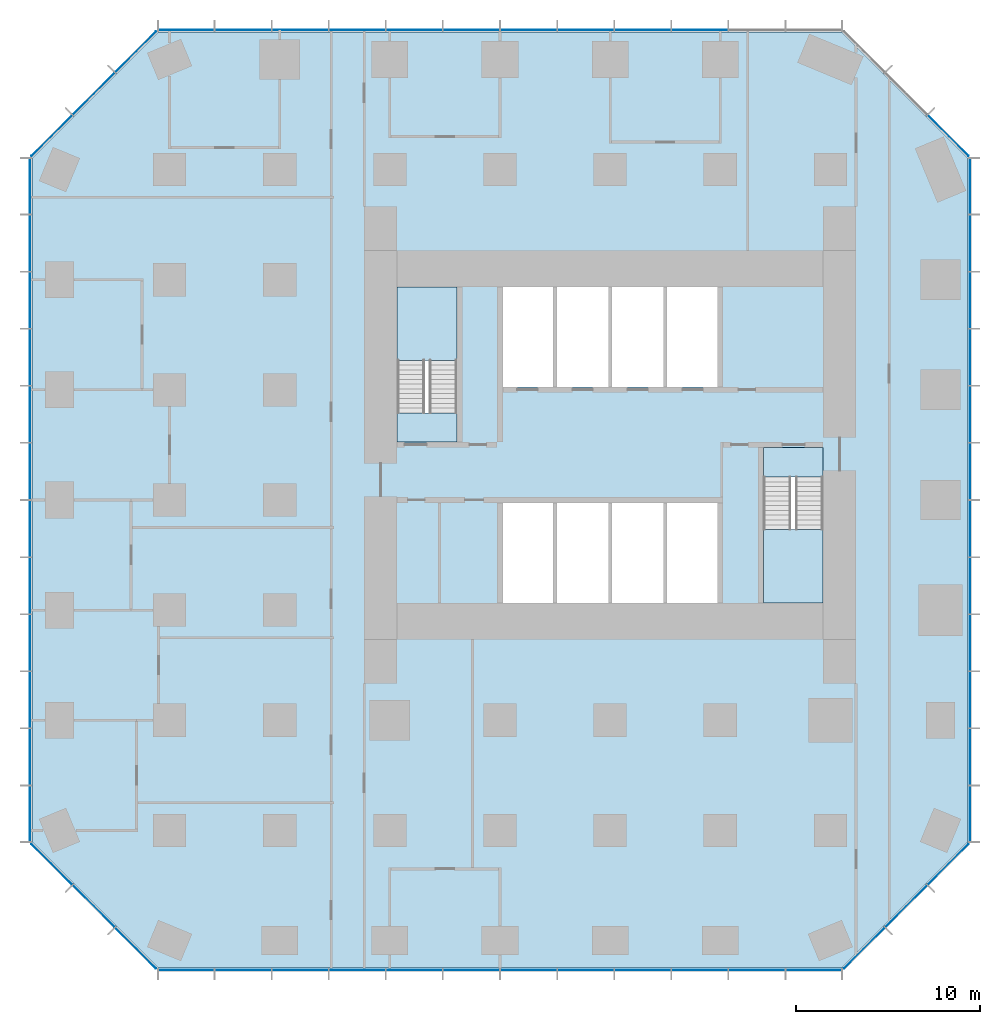
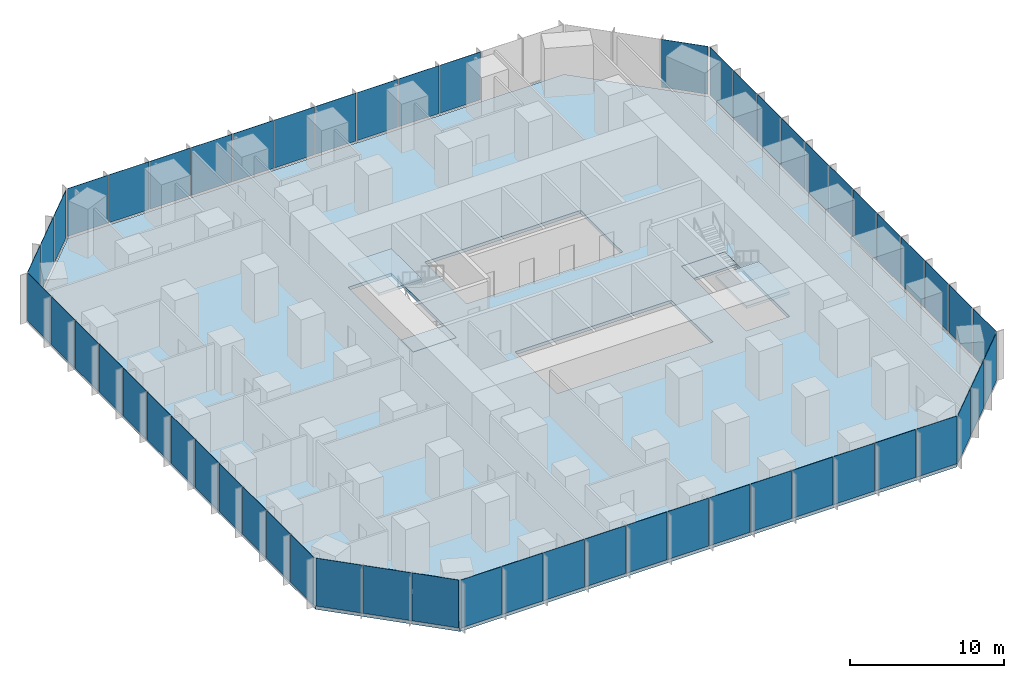
# One storey, part 7 of 11: 56 plates, 5 slabs, 10 elements without a shape of their own.
"""IFC4 building model written with IfcOpenShell, lengths in metres."""

from ifc_helpers import new_model, si_unit, direction, frame, origin, origin_2d, place, context, subcontext, project, spatial, polyline, rectangle, outline, extrude, material, layer, layer_set, type_object, element, aggregate, save


model = new_model("IFC4")

# Units and contexts
model_context = context("Model", 3, precision=1e-05, world=origin(), true_north=direction((0.0, 1.0)))
body_context = subcontext(model_context, "Body", "Model", "MODEL_VIEW")
ifc_project = project(units=[si_unit("LENGTHUNIT", "METRE"), si_unit("AREAUNIT", "SQUARE_METRE"), si_unit("VOLUMEUNIT", "CUBIC_METRE"), si_unit("PLANEANGLEUNIT", "RADIAN"), si_unit("MASSUNIT", "GRAM", prefix="KILO")], contexts=[model_context])

# Site, building, storey
site_placement = place(None, origin())
site = spatial("IfcSite", under=ifc_project, at=site_placement, CompositionType="ELEMENT")
building_placement = place(site_placement, origin())
building = spatial("IfcBuilding", under=site, at=building_placement, Name="Highveld Stack Headquarters", CompositionType="ELEMENT")
storey_placement = place(building_placement, frame((0.0, 0.0, 29.89990234375)))
storey = spatial("IfcBuildingStorey", under=building, at=storey_placement, Name="L06", CompositionType="ELEMENT", Elevation=29.89990234375)

# Curtain wall, plates
ifc_material_1 = material(Name="Aluminium bronze anodised", Category="aluminium")
ifc_layer_1 = layer(ifc_material_1, 0.199951171875)
ifc_layer_set_1 = layer_set([ifc_layer_1], Name="Aluminium bronze anodised")
curtain_wall_type_1 = type_object("IfcCurtainWallType", Name="CW1 TOWER UNITISED CURTAIN WALL", PredefinedType="NOTDEFINED", material=ifc_layer_set_1)
curtain_wall_1_placement = place(storey_placement, origin())
curtain_wall_1 = element("IfcCurtainWall", 1, at=curtain_wall_1_placement, inside=storey, type_object=curtain_wall_type_1, Name="Curtain wall CW1 L06 S", PredefinedType="NOTDEFINED")
ifc_material_2 = material(Name="Glass bronze tinted double glazed unit", Category="glass")
ifc_layer_2 = layer(ifc_material_2, 0.028076171875)
ifc_layer_set_2 = layer_set([ifc_layer_2], Name="Glass bronze tinted double glazed unit")
plate_type_1 = type_object("IfcPlateType", Name="CW1 PANEL BRONZE TINTED DOUBLE GLAZED UNIT", PredefinedType="CURTAIN_PANEL", material=ifc_layer_set_2)
plate_1_placement = place(storey_placement, frame((-17.09130859375, -25.60009765625, 0.10009765625), z_axis=(0.0, 0.0, 1.0), x_axis=(1.0, 0.0, 0.0)))
plate_1 = element("IfcPlate", 2, at=plate_1_placement, type_object=plate_type_1, Name="CW1 panel L06 1.1", PredefinedType="CURTAIN_PANEL", context=body_context, shape_type="SweptSolid", body=[
    extrude(rectangle(XDim=3.012939453125, YDim=0.028076171875, at=origin_2d()), origin(), (0.0, 0.0, 1.0), 3.800048828125),
])
plate_2_placement = place(storey_placement, frame((-13.9970703125, -25.60009765625, 0.10009765625), z_axis=(0.0, 0.0, 1.0), x_axis=(1.0, 0.0, 0.0)))
plate_2 = element("IfcPlate", 3, at=plate_2_placement, type_object=plate_type_1, Name="CW1 panel L06 2.1", PredefinedType="CURTAIN_PANEL", context=body_context, shape_type="SweptSolid", body=[
    extrude(rectangle(XDim=3.04541015625, YDim=0.028076171875, at=origin_2d()), origin(), (0.0, 0.0, 1.0), 3.800048828125),
])
plate_3_placement = place(storey_placement, frame((-10.88671875, -25.60009765625, 0.10009765625), z_axis=(0.0, 0.0, 1.0), x_axis=(1.0, 0.0, 0.0)))
plate_3 = element("IfcPlate", 4, at=plate_3_placement, type_object=plate_type_1, Name="CW1 panel L06 3.1", PredefinedType="CURTAIN_PANEL", context=body_context, shape_type="SweptSolid", body=[
    extrude(rectangle(XDim=3.04541015625, YDim=0.028076171875, at=origin_2d()), origin(), (0.0, 0.0, 1.0), 3.800048828125),
])
plate_4_placement = place(storey_placement, frame((-7.776123046875, -25.60009765625, 0.10009765625), z_axis=(0.0, 0.0, 1.0), x_axis=(1.0, 0.0, 0.0)))
plate_4 = element("IfcPlate", 5, at=plate_4_placement, type_object=plate_type_1, Name="CW1 panel L06 4.1", PredefinedType="CURTAIN_PANEL", context=body_context, shape_type="SweptSolid", body=[
    extrude(rectangle(XDim=3.04541015625, YDim=0.028076171875, at=origin_2d()), origin(), (0.0, 0.0, 1.0), 3.800048828125),
])
plate_5_placement = place(storey_placement, frame((-4.665771484375, -25.60009765625, 0.10009765625), z_axis=(0.0, 0.0, 1.0), x_axis=(1.0, 0.0, 0.0)))
plate_5 = element("IfcPlate", 6, at=plate_5_placement, type_object=plate_type_1, Name="CW1 panel L06 5.1", PredefinedType="CURTAIN_PANEL", context=body_context, shape_type="SweptSolid", body=[
    extrude(rectangle(XDim=3.04541015625, YDim=0.028076171875, at=origin_2d()), origin(), (0.0, 0.0, 1.0), 3.800048828125),
])
plate_6_placement = place(storey_placement, frame((-1.55517578125, -25.60009765625, 0.10009765625), z_axis=(0.0, 0.0, 1.0), x_axis=(1.0, 0.0, 0.0)))
plate_6 = element("IfcPlate", 7, at=plate_6_placement, type_object=plate_type_1, Name="CW1 panel L06 6.1", PredefinedType="CURTAIN_PANEL", context=body_context, shape_type="SweptSolid", body=[
    extrude(rectangle(XDim=3.04541015625, YDim=0.028076171875, at=origin_2d()), origin(), (0.0, 0.0, 1.0), 3.800048828125),
])
plate_7_placement = place(storey_placement, frame((1.55517578125, -25.60009765625, 0.10009765625), z_axis=(0.0, 0.0, 1.0), x_axis=(1.0, 0.0, 0.0)))
plate_7 = element("IfcPlate", 8, at=plate_7_placement, type_object=plate_type_1, Name="CW1 panel L06 7.1", PredefinedType="CURTAIN_PANEL", context=body_context, shape_type="SweptSolid", body=[
    extrude(rectangle(XDim=3.04541015625, YDim=0.028076171875, at=origin_2d()), origin(), (0.0, 0.0, 1.0), 3.800048828125),
])
plate_8_placement = place(storey_placement, frame((4.665771484375, -25.60009765625, 0.10009765625), z_axis=(0.0, 0.0, 1.0), x_axis=(1.0, 0.0, 0.0)))
plate_8 = element("IfcPlate", 9, at=plate_8_placement, type_object=plate_type_1, Name="CW1 panel L06 8.1", PredefinedType="CURTAIN_PANEL", context=body_context, shape_type="SweptSolid", body=[
    extrude(rectangle(XDim=3.04541015625, YDim=0.028076171875, at=origin_2d()), origin(), (0.0, 0.0, 1.0), 3.800048828125),
])
plate_9_placement = place(storey_placement, frame((7.776123046875, -25.60009765625, 0.10009765625), z_axis=(0.0, 0.0, 1.0), x_axis=(1.0, 0.0, 0.0)))
plate_9 = element("IfcPlate", 10, at=plate_9_placement, type_object=plate_type_1, Name="CW1 panel L06 9.1", PredefinedType="CURTAIN_PANEL", context=body_context, shape_type="SweptSolid", body=[
    extrude(rectangle(XDim=3.04541015625, YDim=0.028076171875, at=origin_2d()), origin(), (0.0, 0.0, 1.0), 3.800048828125),
])
plate_10_placement = place(storey_placement, frame((10.88671875, -25.60009765625, 0.10009765625), z_axis=(0.0, 0.0, 1.0), x_axis=(1.0, 0.0, 0.0)))
plate_10 = element("IfcPlate", 11, at=plate_10_placement, type_object=plate_type_1, Name="CW1 panel L06 10.1", PredefinedType="CURTAIN_PANEL", context=body_context, shape_type="SweptSolid", body=[
    extrude(rectangle(XDim=3.04541015625, YDim=0.028076171875, at=origin_2d()), origin(), (0.0, 0.0, 1.0), 3.800048828125),
])
plate_11_placement = place(storey_placement, frame((13.9970703125, -25.60009765625, 0.10009765625), z_axis=(0.0, 0.0, 1.0), x_axis=(1.0, 0.0, 0.0)))
plate_11 = element("IfcPlate", 12, at=plate_11_placement, type_object=plate_type_1, Name="CW1 panel L06 11.1", PredefinedType="CURTAIN_PANEL", context=body_context, shape_type="SweptSolid", body=[
    extrude(rectangle(XDim=3.04541015625, YDim=0.028076171875, at=origin_2d()), origin(), (0.0, 0.0, 1.0), 3.800048828125),
])
plate_12_placement = place(storey_placement, frame((17.09130859375, -25.60009765625, 0.10009765625), z_axis=(0.0, 0.0, 1.0), x_axis=(1.0, 0.0, 0.0)))
plate_12 = element("IfcPlate", 13, at=plate_12_placement, type_object=plate_type_1, Name="CW1 panel L06 12.1", PredefinedType="CURTAIN_PANEL", context=body_context, shape_type="SweptSolid", body=[
    extrude(rectangle(XDim=3.012939453125, YDim=0.028076171875, at=origin_2d()), origin(), (0.0, 0.0, 1.0), 3.800048828125),
])
aggregate(curtain_wall_1, [plate_1, plate_2, plate_3, plate_4, plate_5, plate_6, plate_7, plate_8, plate_9, plate_10, plate_11, plate_12])

curtain_wall_2_placement = place(storey_placement, origin())
curtain_wall_2 = element("IfcCurtainWall", 14, at=curtain_wall_2_placement, inside=storey, type_object=curtain_wall_type_1, Name="Curtain wall CW1 L06 E", PredefinedType="NOTDEFINED")
plate_13_placement = place(storey_placement, frame((25.60009765625, -17.09130859375, 0.10009765625), z_axis=(0.0, 0.0, 1.0), x_axis=(0.0, 1.0, 0.0)))
plate_13 = element("IfcPlate", 15, at=plate_13_placement, type_object=plate_type_1, Name="CW1 panel L06 1.1", PredefinedType="CURTAIN_PANEL", context=body_context, shape_type="SweptSolid", body=[
    extrude(rectangle(XDim=3.012939453125, YDim=0.028076171875, at=origin_2d()), origin(), (0.0, 0.0, 1.0), 3.800048828125),
])
plate_14_placement = place(storey_placement, frame((25.60009765625, -13.9970703125, 0.10009765625), z_axis=(0.0, 0.0, 1.0), x_axis=(0.0, 1.0, 0.0)))
plate_14 = element("IfcPlate", 16, at=plate_14_placement, type_object=plate_type_1, Name="CW1 panel L06 2.1", PredefinedType="CURTAIN_PANEL", context=body_context, shape_type="SweptSolid", body=[
    extrude(rectangle(XDim=3.04541015625, YDim=0.028076171875, at=origin_2d()), origin(), (0.0, 0.0, 1.0), 3.800048828125),
])
plate_15_placement = place(storey_placement, frame((25.60009765625, -10.88671875, 0.10009765625), z_axis=(0.0, 0.0, 1.0), x_axis=(0.0, 1.0, 0.0)))
plate_15 = element("IfcPlate", 17, at=plate_15_placement, type_object=plate_type_1, Name="CW1 panel L06 3.1", PredefinedType="CURTAIN_PANEL", context=body_context, shape_type="SweptSolid", body=[
    extrude(rectangle(XDim=3.04541015625, YDim=0.028076171875, at=origin_2d()), origin(), (0.0, 0.0, 1.0), 3.800048828125),
])
plate_16_placement = place(storey_placement, frame((25.60009765625, -7.776123046875, 0.10009765625), z_axis=(0.0, 0.0, 1.0), x_axis=(0.0, 1.0, 0.0)))
plate_16 = element("IfcPlate", 18, at=plate_16_placement, type_object=plate_type_1, Name="CW1 panel L06 4.1", PredefinedType="CURTAIN_PANEL", context=body_context, shape_type="SweptSolid", body=[
    extrude(rectangle(XDim=3.04541015625, YDim=0.028076171875, at=origin_2d()), origin(), (0.0, 0.0, 1.0), 3.800048828125),
])
plate_17_placement = place(storey_placement, frame((25.60009765625, -4.665771484375, 0.10009765625), z_axis=(0.0, 0.0, 1.0), x_axis=(0.0, 1.0, 0.0)))
plate_17 = element("IfcPlate", 19, at=plate_17_placement, type_object=plate_type_1, Name="CW1 panel L06 5.1", PredefinedType="CURTAIN_PANEL", context=body_context, shape_type="SweptSolid", body=[
    extrude(rectangle(XDim=3.04541015625, YDim=0.028076171875, at=origin_2d()), origin(), (0.0, 0.0, 1.0), 3.800048828125),
])
plate_18_placement = place(storey_placement, frame((25.60009765625, -1.55517578125, 0.10009765625), z_axis=(0.0, 0.0, 1.0), x_axis=(0.0, 1.0, 0.0)))
plate_18 = element("IfcPlate", 20, at=plate_18_placement, type_object=plate_type_1, Name="CW1 panel L06 6.1", PredefinedType="CURTAIN_PANEL", context=body_context, shape_type="SweptSolid", body=[
    extrude(rectangle(XDim=3.04541015625, YDim=0.028076171875, at=origin_2d()), origin(), (0.0, 0.0, 1.0), 3.800048828125),
])
plate_19_placement = place(storey_placement, frame((25.60009765625, 1.55517578125, 0.10009765625), z_axis=(0.0, 0.0, 1.0), x_axis=(0.0, 1.0, 0.0)))
plate_19 = element("IfcPlate", 21, at=plate_19_placement, type_object=plate_type_1, Name="CW1 panel L06 7.1", PredefinedType="CURTAIN_PANEL", context=body_context, shape_type="SweptSolid", body=[
    extrude(rectangle(XDim=3.04541015625, YDim=0.028076171875, at=origin_2d()), origin(), (0.0, 0.0, 1.0), 3.800048828125),
])
plate_20_placement = place(storey_placement, frame((25.60009765625, 4.665771484375, 0.10009765625), z_axis=(0.0, 0.0, 1.0), x_axis=(0.0, 1.0, 0.0)))
plate_20 = element("IfcPlate", 22, at=plate_20_placement, type_object=plate_type_1, Name="CW1 panel L06 8.1", PredefinedType="CURTAIN_PANEL", context=body_context, shape_type="SweptSolid", body=[
    extrude(rectangle(XDim=3.04541015625, YDim=0.028076171875, at=origin_2d()), origin(), (0.0, 0.0, 1.0), 3.800048828125),
])
plate_21_placement = place(storey_placement, frame((25.60009765625, 7.776123046875, 0.10009765625), z_axis=(0.0, 0.0, 1.0), x_axis=(0.0, 1.0, 0.0)))
plate_21 = element("IfcPlate", 23, at=plate_21_placement, type_object=plate_type_1, Name="CW1 panel L06 9.1", PredefinedType="CURTAIN_PANEL", context=body_context, shape_type="SweptSolid", body=[
    extrude(rectangle(XDim=3.04541015625, YDim=0.028076171875, at=origin_2d()), origin(), (0.0, 0.0, 1.0), 3.800048828125),
])
plate_22_placement = place(storey_placement, frame((25.60009765625, 10.88671875, 0.10009765625), z_axis=(0.0, 0.0, 1.0), x_axis=(0.0, 1.0, 0.0)))
plate_22 = element("IfcPlate", 24, at=plate_22_placement, type_object=plate_type_1, Name="CW1 panel L06 10.1", PredefinedType="CURTAIN_PANEL", context=body_context, shape_type="SweptSolid", body=[
    extrude(rectangle(XDim=3.04541015625, YDim=0.028076171875, at=origin_2d()), origin(), (0.0, 0.0, 1.0), 3.800048828125),
])
plate_23_placement = place(storey_placement, frame((25.60009765625, 13.9970703125, 0.10009765625), z_axis=(0.0, 0.0, 1.0), x_axis=(0.0, 1.0, 0.0)))
plate_23 = element("IfcPlate", 25, at=plate_23_placement, type_object=plate_type_1, Name="CW1 panel L06 11.1", PredefinedType="CURTAIN_PANEL", context=body_context, shape_type="SweptSolid", body=[
    extrude(rectangle(XDim=3.04541015625, YDim=0.028076171875, at=origin_2d()), origin(), (0.0, 0.0, 1.0), 3.800048828125),
])
plate_24_placement = place(storey_placement, frame((25.60009765625, 17.09130859375, 0.10009765625), z_axis=(0.0, 0.0, 1.0), x_axis=(0.0, 1.0, 0.0)))
plate_24 = element("IfcPlate", 26, at=plate_24_placement, type_object=plate_type_1, Name="CW1 panel L06 12.1", PredefinedType="CURTAIN_PANEL", context=body_context, shape_type="SweptSolid", body=[
    extrude(rectangle(XDim=3.012939453125, YDim=0.028076171875, at=origin_2d()), origin(), (0.0, 0.0, 1.0), 3.800048828125),
])
aggregate(curtain_wall_2, [plate_13, plate_14, plate_15, plate_16, plate_17, plate_18, plate_19, plate_20, plate_21, plate_22, plate_23, plate_24])

curtain_wall_3_placement = place(storey_placement, origin())
curtain_wall_3 = element("IfcCurtainWall", 27, at=curtain_wall_3_placement, inside=storey, type_object=curtain_wall_type_1, Name="Curtain wall CW1 L06 N", PredefinedType="NOTDEFINED")
plate_25_placement = place(storey_placement, frame((10.88671875, 25.60009765625, 0.10009765625), z_axis=(0.0, 0.0, 1.0), x_axis=(-1.0, 0.0, 0.0)))
plate_25 = element("IfcPlate", 28, at=plate_25_placement, type_object=plate_type_1, Name="CW1 panel L06 3.1", PredefinedType="CURTAIN_PANEL", context=body_context, shape_type="SweptSolid", body=[
    extrude(rectangle(XDim=3.04541015625, YDim=0.028076171875, at=origin_2d()), origin(), (0.0, 0.0, 1.0), 3.800048828125),
])
plate_26_placement = place(storey_placement, frame((7.776123046875, 25.60009765625, 0.10009765625), z_axis=(0.0, 0.0, 1.0), x_axis=(-1.0, 0.0, 0.0)))
plate_26 = element("IfcPlate", 29, at=plate_26_placement, type_object=plate_type_1, Name="CW1 panel L06 4.1", PredefinedType="CURTAIN_PANEL", context=body_context, shape_type="SweptSolid", body=[
    extrude(rectangle(XDim=3.04541015625, YDim=0.028076171875, at=origin_2d()), origin(), (0.0, 0.0, 1.0), 3.800048828125),
])
plate_27_placement = place(storey_placement, frame((4.665771484375, 25.60009765625, 0.10009765625), z_axis=(0.0, 0.0, 1.0), x_axis=(-1.0, 0.0, 0.0)))
plate_27 = element("IfcPlate", 30, at=plate_27_placement, type_object=plate_type_1, Name="CW1 panel L06 5.1", PredefinedType="CURTAIN_PANEL", context=body_context, shape_type="SweptSolid", body=[
    extrude(rectangle(XDim=3.04541015625, YDim=0.028076171875, at=origin_2d()), origin(), (0.0, 0.0, 1.0), 3.800048828125),
])
plate_28_placement = place(storey_placement, frame((1.55517578125, 25.60009765625, 0.10009765625), z_axis=(0.0, 0.0, 1.0), x_axis=(-1.0, 0.0, 0.0)))
plate_28 = element("IfcPlate", 31, at=plate_28_placement, type_object=plate_type_1, Name="CW1 panel L06 6.1", PredefinedType="CURTAIN_PANEL", context=body_context, shape_type="SweptSolid", body=[
    extrude(rectangle(XDim=3.04541015625, YDim=0.028076171875, at=origin_2d()), origin(), (0.0, 0.0, 1.0), 3.800048828125),
])
plate_29_placement = place(storey_placement, frame((-1.55517578125, 25.60009765625, 0.10009765625), z_axis=(0.0, 0.0, 1.0), x_axis=(-1.0, 0.0, 0.0)))
plate_29 = element("IfcPlate", 32, at=plate_29_placement, type_object=plate_type_1, Name="CW1 panel L06 7.1", PredefinedType="CURTAIN_PANEL", context=body_context, shape_type="SweptSolid", body=[
    extrude(rectangle(XDim=3.04541015625, YDim=0.028076171875, at=origin_2d()), origin(), (0.0, 0.0, 1.0), 3.800048828125),
])
plate_30_placement = place(storey_placement, frame((-4.665771484375, 25.60009765625, 0.10009765625), z_axis=(0.0, 0.0, 1.0), x_axis=(-1.0, 0.0, 0.0)))
plate_30 = element("IfcPlate", 33, at=plate_30_placement, type_object=plate_type_1, Name="CW1 panel L06 8.1", PredefinedType="CURTAIN_PANEL", context=body_context, shape_type="SweptSolid", body=[
    extrude(rectangle(XDim=3.04541015625, YDim=0.028076171875, at=origin_2d()), origin(), (0.0, 0.0, 1.0), 3.800048828125),
])
plate_31_placement = place(storey_placement, frame((-7.776123046875, 25.60009765625, 0.10009765625), z_axis=(0.0, 0.0, 1.0), x_axis=(-1.0, 0.0, 0.0)))
plate_31 = element("IfcPlate", 34, at=plate_31_placement, type_object=plate_type_1, Name="CW1 panel L06 9.1", PredefinedType="CURTAIN_PANEL", context=body_context, shape_type="SweptSolid", body=[
    extrude(rectangle(XDim=3.04541015625, YDim=0.028076171875, at=origin_2d()), origin(), (0.0, 0.0, 1.0), 3.800048828125),
])
plate_32_placement = place(storey_placement, frame((-10.88671875, 25.60009765625, 0.10009765625), z_axis=(0.0, 0.0, 1.0), x_axis=(-1.0, 0.0, 0.0)))
plate_32 = element("IfcPlate", 35, at=plate_32_placement, type_object=plate_type_1, Name="CW1 panel L06 10.1", PredefinedType="CURTAIN_PANEL", context=body_context, shape_type="SweptSolid", body=[
    extrude(rectangle(XDim=3.04541015625, YDim=0.028076171875, at=origin_2d()), origin(), (0.0, 0.0, 1.0), 3.800048828125),
])
plate_33_placement = place(storey_placement, frame((-13.9970703125, 25.60009765625, 0.10009765625), z_axis=(0.0, 0.0, 1.0), x_axis=(-1.0, 0.0, 0.0)))
plate_33 = element("IfcPlate", 36, at=plate_33_placement, type_object=plate_type_1, Name="CW1 panel L06 11.1", PredefinedType="CURTAIN_PANEL", context=body_context, shape_type="SweptSolid", body=[
    extrude(rectangle(XDim=3.04541015625, YDim=0.028076171875, at=origin_2d()), origin(), (0.0, 0.0, 1.0), 3.800048828125),
])
plate_34_placement = place(storey_placement, frame((-17.09130859375, 25.60009765625, 0.10009765625), z_axis=(0.0, 0.0, 1.0), x_axis=(-1.0, 0.0, 0.0)))
plate_34 = element("IfcPlate", 37, at=plate_34_placement, type_object=plate_type_1, Name="CW1 panel L06 12.1", PredefinedType="CURTAIN_PANEL", context=body_context, shape_type="SweptSolid", body=[
    extrude(rectangle(XDim=3.012939453125, YDim=0.028076171875, at=origin_2d()), origin(), (0.0, 0.0, 1.0), 3.800048828125),
])
aggregate(curtain_wall_3, [plate_25, plate_26, plate_27, plate_28, plate_29, plate_30, plate_31, plate_32, plate_33, plate_34])

curtain_wall_4_placement = place(storey_placement, origin())
curtain_wall_4 = element("IfcCurtainWall", 38, at=curtain_wall_4_placement, inside=storey, type_object=curtain_wall_type_1, Name="Curtain wall CW1 L06 W", PredefinedType="NOTDEFINED")
plate_35_placement = place(storey_placement, frame((-25.60009765625, 17.09130859375, 0.10009765625), z_axis=(0.0, 0.0, 1.0), x_axis=(0.0, -1.0, 0.0)))
plate_35 = element("IfcPlate", 39, at=plate_35_placement, type_object=plate_type_1, Name="CW1 panel L06 1.1", PredefinedType="CURTAIN_PANEL", context=body_context, shape_type="SweptSolid", body=[
    extrude(rectangle(XDim=3.012939453125, YDim=0.028076171875, at=origin_2d()), origin(), (0.0, 0.0, 1.0), 3.800048828125),
])
plate_36_placement = place(storey_placement, frame((-25.60009765625, 13.9970703125, 0.10009765625), z_axis=(0.0, 0.0, 1.0), x_axis=(0.0, -1.0, 0.0)))
plate_36 = element("IfcPlate", 40, at=plate_36_placement, type_object=plate_type_1, Name="CW1 panel L06 2.1", PredefinedType="CURTAIN_PANEL", context=body_context, shape_type="SweptSolid", body=[
    extrude(rectangle(XDim=3.04541015625, YDim=0.028076171875, at=origin_2d()), origin(), (0.0, 0.0, 1.0), 3.800048828125),
])
plate_37_placement = place(storey_placement, frame((-25.60009765625, 10.88671875, 0.10009765625), z_axis=(0.0, 0.0, 1.0), x_axis=(0.0, -1.0, 0.0)))
plate_37 = element("IfcPlate", 41, at=plate_37_placement, type_object=plate_type_1, Name="CW1 panel L06 3.1", PredefinedType="CURTAIN_PANEL", context=body_context, shape_type="SweptSolid", body=[
    extrude(rectangle(XDim=3.04541015625, YDim=0.028076171875, at=origin_2d()), origin(), (0.0, 0.0, 1.0), 3.800048828125),
])
plate_38_placement = place(storey_placement, frame((-25.60009765625, 7.776123046875, 0.10009765625), z_axis=(0.0, 0.0, 1.0), x_axis=(0.0, -1.0, 0.0)))
plate_38 = element("IfcPlate", 42, at=plate_38_placement, type_object=plate_type_1, Name="CW1 panel L06 4.1", PredefinedType="CURTAIN_PANEL", context=body_context, shape_type="SweptSolid", body=[
    extrude(rectangle(XDim=3.04541015625, YDim=0.028076171875, at=origin_2d()), origin(), (0.0, 0.0, 1.0), 3.800048828125),
])
plate_39_placement = place(storey_placement, frame((-25.60009765625, 4.665771484375, 0.10009765625), z_axis=(0.0, 0.0, 1.0), x_axis=(0.0, -1.0, 0.0)))
plate_39 = element("IfcPlate", 43, at=plate_39_placement, type_object=plate_type_1, Name="CW1 panel L06 5.1", PredefinedType="CURTAIN_PANEL", context=body_context, shape_type="SweptSolid", body=[
    extrude(rectangle(XDim=3.04541015625, YDim=0.028076171875, at=origin_2d()), origin(), (0.0, 0.0, 1.0), 3.800048828125),
])
plate_40_placement = place(storey_placement, frame((-25.60009765625, 1.55517578125, 0.10009765625), z_axis=(0.0, 0.0, 1.0), x_axis=(0.0, -1.0, 0.0)))
plate_40 = element("IfcPlate", 44, at=plate_40_placement, type_object=plate_type_1, Name="CW1 panel L06 6.1", PredefinedType="CURTAIN_PANEL", context=body_context, shape_type="SweptSolid", body=[
    extrude(rectangle(XDim=3.04541015625, YDim=0.028076171875, at=origin_2d()), origin(), (0.0, 0.0, 1.0), 3.800048828125),
])
plate_41_placement = place(storey_placement, frame((-25.60009765625, -1.55517578125, 0.10009765625), z_axis=(0.0, 0.0, 1.0), x_axis=(0.0, -1.0, 0.0)))
plate_41 = element("IfcPlate", 45, at=plate_41_placement, type_object=plate_type_1, Name="CW1 panel L06 7.1", PredefinedType="CURTAIN_PANEL", context=body_context, shape_type="SweptSolid", body=[
    extrude(rectangle(XDim=3.04541015625, YDim=0.028076171875, at=origin_2d()), origin(), (0.0, 0.0, 1.0), 3.800048828125),
])
plate_42_placement = place(storey_placement, frame((-25.60009765625, -4.665771484375, 0.10009765625), z_axis=(0.0, 0.0, 1.0), x_axis=(0.0, -1.0, 0.0)))
plate_42 = element("IfcPlate", 46, at=plate_42_placement, type_object=plate_type_1, Name="CW1 panel L06 8.1", PredefinedType="CURTAIN_PANEL", context=body_context, shape_type="SweptSolid", body=[
    extrude(rectangle(XDim=3.04541015625, YDim=0.028076171875, at=origin_2d()), origin(), (0.0, 0.0, 1.0), 3.800048828125),
])
plate_43_placement = place(storey_placement, frame((-25.60009765625, -7.776123046875, 0.10009765625), z_axis=(0.0, 0.0, 1.0), x_axis=(0.0, -1.0, 0.0)))
plate_43 = element("IfcPlate", 47, at=plate_43_placement, type_object=plate_type_1, Name="CW1 panel L06 9.1", PredefinedType="CURTAIN_PANEL", context=body_context, shape_type="SweptSolid", body=[
    extrude(rectangle(XDim=3.04541015625, YDim=0.028076171875, at=origin_2d()), origin(), (0.0, 0.0, 1.0), 3.800048828125),
])
plate_44_placement = place(storey_placement, frame((-25.60009765625, -10.88671875, 0.10009765625), z_axis=(0.0, 0.0, 1.0), x_axis=(0.0, -1.0, 0.0)))
plate_44 = element("IfcPlate", 48, at=plate_44_placement, type_object=plate_type_1, Name="CW1 panel L06 10.1", PredefinedType="CURTAIN_PANEL", context=body_context, shape_type="SweptSolid", body=[
    extrude(rectangle(XDim=3.04541015625, YDim=0.028076171875, at=origin_2d()), origin(), (0.0, 0.0, 1.0), 3.800048828125),
])
plate_45_placement = place(storey_placement, frame((-25.60009765625, -13.9970703125, 0.10009765625), z_axis=(0.0, 0.0, 1.0), x_axis=(0.0, -1.0, 0.0)))
plate_45 = element("IfcPlate", 49, at=plate_45_placement, type_object=plate_type_1, Name="CW1 panel L06 11.1", PredefinedType="CURTAIN_PANEL", context=body_context, shape_type="SweptSolid", body=[
    extrude(rectangle(XDim=3.04541015625, YDim=0.028076171875, at=origin_2d()), origin(), (0.0, 0.0, 1.0), 3.800048828125),
])
plate_46_placement = place(storey_placement, frame((-25.60009765625, -17.09130859375, 0.10009765625), z_axis=(0.0, 0.0, 1.0), x_axis=(0.0, -1.0, 0.0)))
plate_46 = element("IfcPlate", 50, at=plate_46_placement, type_object=plate_type_1, Name="CW1 panel L06 12.1", PredefinedType="CURTAIN_PANEL", context=body_context, shape_type="SweptSolid", body=[
    extrude(rectangle(XDim=3.012939453125, YDim=0.028076171875, at=origin_2d()), origin(), (0.0, 0.0, 1.0), 3.800048828125),
])
aggregate(curtain_wall_4, [plate_35, plate_36, plate_37, plate_38, plate_39, plate_40, plate_41, plate_42, plate_43, plate_44, plate_45, plate_46])

ifc_material_3 = material(Name="Aluminium bronze anodised", Category="aluminium")
ifc_layer_3 = layer(ifc_material_3, 0.199951171875)
ifc_layer_set_3 = layer_set([ifc_layer_3], Name="Aluminium bronze anodised")
curtain_wall_type_2 = type_object("IfcCurtainWallType", Name="CW2 TOWER CHAMFER UNITISED CURTAIN WALL", PredefinedType="NOTDEFINED", material=ifc_layer_set_3)
curtain_wall_5_placement = place(storey_placement, origin())
curtain_wall_5 = element("IfcCurtainWall", 51, at=curtain_wall_5_placement, inside=storey, type_object=curtain_wall_type_2, Name="Curtain wall CW2 L06 SE", PredefinedType="NOTDEFINED")
ifc_material_4 = material(Name="Glass bronze tinted double glazed unit", Category="glass")
ifc_layer_4 = layer(ifc_material_4, 0.028076171875)
ifc_layer_set_4 = layer_set([ifc_layer_4], Name="Glass bronze tinted double glazed unit")
plate_type_2 = type_object("IfcPlateType", Name="CW2 PANEL BRONZE TINTED DOUBLE GLAZED UNIT", PredefinedType="CURTAIN_PANEL", material=ifc_layer_set_4)
plate_47_placement = place(storey_placement, frame((19.8427734375, -24.419921875, 0.10009765625), z_axis=(0.0, 0.0, 1.0), x_axis=(0.707106781187, 0.707106781187, 0.0)))
plate_47 = element("IfcPlate", 52, at=plate_47_placement, type_object=plate_type_2, Name="CW2 panel L06 1.1", PredefinedType="CURTAIN_PANEL", context=body_context, shape_type="SweptSolid", body=[
    extrude(rectangle(XDim=3.1376953125, YDim=0.028076171875, at=origin_2d()), origin(), (0.0, 0.0, 1.0), 3.800048828125),
])
plate_48_placement = place(storey_placement, frame((22.13134765625, -22.13134765625, 0.10009765625), z_axis=(0.0, 0.0, 1.0), x_axis=(0.707106781187, 0.707106781187, 0.0)))
plate_48 = element("IfcPlate", 53, at=plate_48_placement, type_object=plate_type_2, Name="CW2 panel L06 2.1", PredefinedType="CURTAIN_PANEL", context=body_context, shape_type="SweptSolid", body=[
    extrude(rectangle(XDim=3.205322265625, YDim=0.028076171875, at=origin_2d()), origin(), (0.0, 0.0, 1.0), 3.800048828125),
])
plate_49_placement = place(storey_placement, frame((24.419921875, -19.8427734375, 0.10009765625), z_axis=(0.0, 0.0, 1.0), x_axis=(0.707106781187, 0.707106781187, 0.0)))
plate_49 = element("IfcPlate", 54, at=plate_49_placement, type_object=plate_type_2, Name="CW2 panel L06 3.1", PredefinedType="CURTAIN_PANEL", context=body_context, shape_type="SweptSolid", body=[
    extrude(rectangle(XDim=3.1376953125, YDim=0.028076171875, at=origin_2d()), origin(), (0.0, 0.0, 1.0), 3.800048828125),
])
aggregate(curtain_wall_5, [plate_47, plate_48, plate_49])

# Curtain wall, plate
curtain_wall_6_placement = place(storey_placement, origin())
curtain_wall_6 = element("IfcCurtainWall", 55, at=curtain_wall_6_placement, inside=storey, type_object=curtain_wall_type_2, Name="Curtain wall CW2 L06 NE", PredefinedType="NOTDEFINED")
plate_50_placement = place(storey_placement, frame((24.419921875, 19.8427734375, 0.10009765625), z_axis=(0.0, 0.0, 1.0), x_axis=(-0.707106781187, 0.707106781187, 0.0)))
plate_50 = element("IfcPlate", 56, at=plate_50_placement, type_object=plate_type_2, Name="CW2 panel L06 1.1", PredefinedType="CURTAIN_PANEL", context=body_context, shape_type="SweptSolid", body=[
    extrude(rectangle(XDim=3.1376953125, YDim=0.028076171875, at=origin_2d()), origin(), (0.0, 0.0, 1.0), 3.800048828125),
])
aggregate(curtain_wall_6, [plate_50])

# Curtain wall, plates
curtain_wall_7_placement = place(storey_placement, origin())
curtain_wall_7 = element("IfcCurtainWall", 57, at=curtain_wall_7_placement, inside=storey, type_object=curtain_wall_type_2, Name="Curtain wall CW2 L06 NW", PredefinedType="NOTDEFINED")
plate_51_placement = place(storey_placement, frame((-19.8427734375, 24.419921875, 0.10009765625), z_axis=(0.0, 0.0, 1.0), x_axis=(-0.707106781187, -0.707106781187, 0.0)))
plate_51 = element("IfcPlate", 58, at=plate_51_placement, type_object=plate_type_2, Name="CW2 panel L06 1.1", PredefinedType="CURTAIN_PANEL", context=body_context, shape_type="SweptSolid", body=[
    extrude(rectangle(XDim=3.1376953125, YDim=0.028076171875, at=origin_2d()), origin(), (0.0, 0.0, 1.0), 3.800048828125),
])
plate_52_placement = place(storey_placement, frame((-22.13134765625, 22.13134765625, 0.10009765625), z_axis=(0.0, 0.0, 1.0), x_axis=(-0.707106781187, -0.707106781187, 0.0)))
plate_52 = element("IfcPlate", 59, at=plate_52_placement, type_object=plate_type_2, Name="CW2 panel L06 2.1", PredefinedType="CURTAIN_PANEL", context=body_context, shape_type="SweptSolid", body=[
    extrude(rectangle(XDim=3.205322265625, YDim=0.028076171875, at=origin_2d()), origin(), (0.0, 0.0, 1.0), 3.800048828125),
])
plate_53_placement = place(storey_placement, frame((-24.419921875, 19.8427734375, 0.10009765625), z_axis=(0.0, 0.0, 1.0), x_axis=(-0.707106781187, -0.707106781187, 0.0)))
plate_53 = element("IfcPlate", 60, at=plate_53_placement, type_object=plate_type_2, Name="CW2 panel L06 3.1", PredefinedType="CURTAIN_PANEL", context=body_context, shape_type="SweptSolid", body=[
    extrude(rectangle(XDim=3.1376953125, YDim=0.028076171875, at=origin_2d()), origin(), (0.0, 0.0, 1.0), 3.800048828125),
])
aggregate(curtain_wall_7, [plate_51, plate_52, plate_53])

curtain_wall_8_placement = place(storey_placement, origin())
curtain_wall_8 = element("IfcCurtainWall", 61, at=curtain_wall_8_placement, inside=storey, type_object=curtain_wall_type_2, Name="Curtain wall CW2 L06 SW", PredefinedType="NOTDEFINED")
plate_54_placement = place(storey_placement, frame((-24.419921875, -19.8427734375, 0.10009765625), z_axis=(0.0, 0.0, 1.0), x_axis=(0.707106781187, -0.707106781187, 0.0)))
plate_54 = element("IfcPlate", 62, at=plate_54_placement, type_object=plate_type_2, Name="CW2 panel L06 1.1", PredefinedType="CURTAIN_PANEL", context=body_context, shape_type="SweptSolid", body=[
    extrude(rectangle(XDim=3.1376953125, YDim=0.028076171875, at=origin_2d()), origin(), (0.0, 0.0, 1.0), 3.800048828125),
])
plate_55_placement = place(storey_placement, frame((-22.13134765625, -22.13134765625, 0.10009765625), z_axis=(0.0, 0.0, 1.0), x_axis=(0.707106781187, -0.707106781187, 0.0)))
plate_55 = element("IfcPlate", 63, at=plate_55_placement, type_object=plate_type_2, Name="CW2 panel L06 2.1", PredefinedType="CURTAIN_PANEL", context=body_context, shape_type="SweptSolid", body=[
    extrude(rectangle(XDim=3.205322265625, YDim=0.028076171875, at=origin_2d()), origin(), (0.0, 0.0, 1.0), 3.800048828125),
])
plate_56_placement = place(storey_placement, frame((-19.8427734375, -24.419921875, 0.10009765625), z_axis=(0.0, 0.0, 1.0), x_axis=(0.707106781187, -0.707106781187, 0.0)))
plate_56 = element("IfcPlate", 64, at=plate_56_placement, type_object=plate_type_2, Name="CW2 panel L06 3.1", PredefinedType="CURTAIN_PANEL", context=body_context, shape_type="SweptSolid", body=[
    extrude(rectangle(XDim=3.1376953125, YDim=0.028076171875, at=origin_2d()), origin(), (0.0, 0.0, 1.0), 3.800048828125),
])
aggregate(curtain_wall_8, [plate_54, plate_55, plate_56])

# Slab
ifc_material_5 = material(Name="Concrete C60/75", Category="concrete")
ifc_layer_5 = layer(ifc_material_5, 0.25)
ifc_layer_set_5 = layer_set([ifc_layer_5], Name="Concrete C60/75")
slab_type_1 = type_object("IfcSlabType", Name="PT FLAT SLAB 250", PredefinedType="FLOOR", material=ifc_layer_set_5)
slab_1_placement = place(storey_placement, frame((0.0, 0.0, -0.25)))
element("IfcSlab", 65, at=slab_1_placement, inside=storey, type_object=slab_type_1, Name="Floor slab L06", PredefinedType="FLOOR", context=body_context, shape_type="SweptSolid", body=[
    extrude(outline(polyline([(-18.621337890625, -25.5), (18.621337890625, -25.5), (25.5, -18.621337890625), (25.5, 18.621337890625), (18.621337890625, 25.5), (-18.621337890625, 25.5), (-25.5, 18.621337890625), (-25.5, -18.621337890625), (-18.621337890625, -25.5)]), holes=[polyline([(0.14990234375, 6.14990234375), (11.85009765625, 6.14990234375), (11.85009765625, 11.60009765625), (0.14990234375, 11.60009765625), (0.14990234375, 6.14990234375)]), polyline([(0.14990234375, -5.60009765625), (11.85009765625, -5.60009765625), (11.85009765625, -0.14990234375), (0.14990234375, -0.14990234375), (0.14990234375, -5.60009765625)]), polyline([(-5.60009765625, 3.14990234375), (-2.35009765625, 3.14990234375), (-2.35009765625, 11.60009765625), (-5.60009765625, 11.60009765625), (-5.60009765625, 3.14990234375)]), polyline([(14.35009765625, -5.60009765625), (17.60009765625, -5.60009765625), (17.60009765625, 2.85009765625), (14.35009765625, 2.85009765625), (14.35009765625, -5.60009765625)])]), origin(), (0.0, 0.0, 1.0), 0.25),
])

# Stair, slabs
ifc_material_6 = material(Name="Concrete C40/50, precast", Category="concrete")
stair_type_1 = type_object("IfcStairType", Name="STAIR S1 HALF TURN 1500", PredefinedType="HALF_TURN_STAIR", material=ifc_material_6)
stair_1_placement = place(storey_placement, origin())
stair_1 = element("IfcStair", 66, at=stair_1_placement, inside=storey, type_object=stair_type_1, Name="Stair S1 L06", PredefinedType="HALF_TURN_STAIR")
ifc_material_7 = material(Name="Concrete C40/50, precast", Category="concrete")
ifc_layer_6 = layer(ifc_material_7, 0.199951171875)
ifc_layer_set_6 = layer_set([ifc_layer_6], Name="Concrete C40/50, precast")
slab_type_2 = type_object("IfcSlabType", Name="STAIR LANDING 200", PredefinedType="LANDING", material=ifc_layer_set_6)
slab_2_placement = place(storey_placement, frame((0.0, 0.0, 1.75)))
slab_2 = element("IfcSlab", 67, at=slab_2_placement, type_object=slab_type_2, Name="S1 landing 1", PredefinedType="LANDING", context=body_context, shape_type="SweptSolid", body=[
    extrude(outline(polyline([(-5.60009765625, 7.610107421875), (-2.35009765625, 7.610107421875), (-2.35009765625, 11.60009765625), (-5.60009765625, 11.60009765625), (-5.60009765625, 7.610107421875)])), origin(), (0.0, 0.0, 1.0), 0.2001953125),
])
slab_3_placement = place(storey_placement, frame((0.0, 0.0, -0.199951171875)))
slab_3 = element("IfcSlab", 68, at=slab_3_placement, type_object=slab_type_2, Name="S1 landing 2", PredefinedType="LANDING", context=body_context, shape_type="SweptSolid", body=[
    extrude(outline(polyline([(-5.60009765625, 3.14990234375), (-2.35009765625, 3.14990234375), (-2.35009765625, 4.75), (-5.60009765625, 4.75), (-5.60009765625, 3.14990234375)])), origin(), (0.0, 0.0, 1.0), 0.199951171875),
])
aggregate(stair_1, [slab_2, slab_3])

ifc_material_8 = material(Name="Concrete C40/50, precast", Category="concrete")
stair_type_2 = type_object("IfcStairType", Name="STAIR S2 HALF TURN 1500", PredefinedType="HALF_TURN_STAIR", material=ifc_material_8)
stair_2_placement = place(storey_placement, origin())
stair_2 = element("IfcStair", 69, at=stair_2_placement, inside=storey, type_object=stair_type_2, Name="Stair S2 L06", PredefinedType="HALF_TURN_STAIR")
slab_4_placement = place(storey_placement, frame((0.0, 0.0, 1.75)))
slab_4 = element("IfcSlab", 70, at=slab_4_placement, type_object=slab_type_2, Name="S2 landing 1", PredefinedType="LANDING", context=body_context, shape_type="SweptSolid", body=[
    extrude(outline(polyline([(14.35009765625, -5.60009765625), (17.60009765625, -5.60009765625), (17.60009765625, -1.610107421875), (14.35009765625, -1.610107421875), (14.35009765625, -5.60009765625)])), origin(), (0.0, 0.0, 1.0), 0.2001953125),
])
slab_5_placement = place(storey_placement, frame((0.0, 0.0, -0.199951171875)))
slab_5 = element("IfcSlab", 71, at=slab_5_placement, type_object=slab_type_2, Name="S2 landing 2", PredefinedType="LANDING", context=body_context, shape_type="SweptSolid", body=[
    extrude(outline(polyline([(14.35009765625, 1.25), (17.60009765625, 1.25), (17.60009765625, 2.85009765625), (14.35009765625, 2.85009765625), (14.35009765625, 1.25)])), origin(), (0.0, 0.0, 1.0), 0.199951171875),
])
aggregate(stair_2, [slab_4, slab_5])

save(model, "model.ifc")
